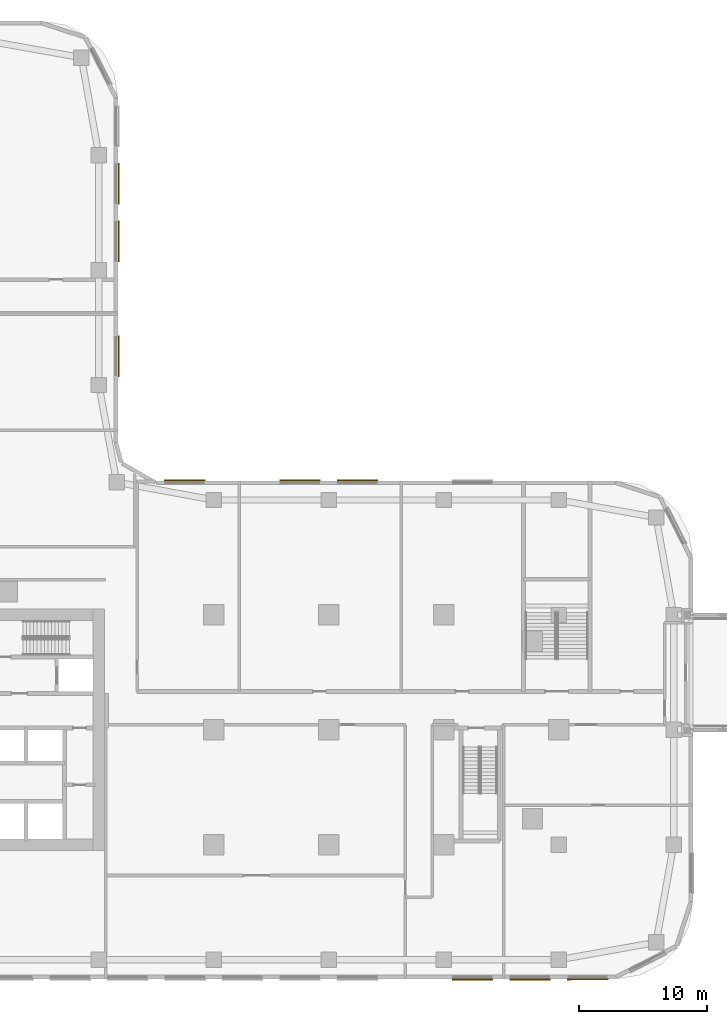
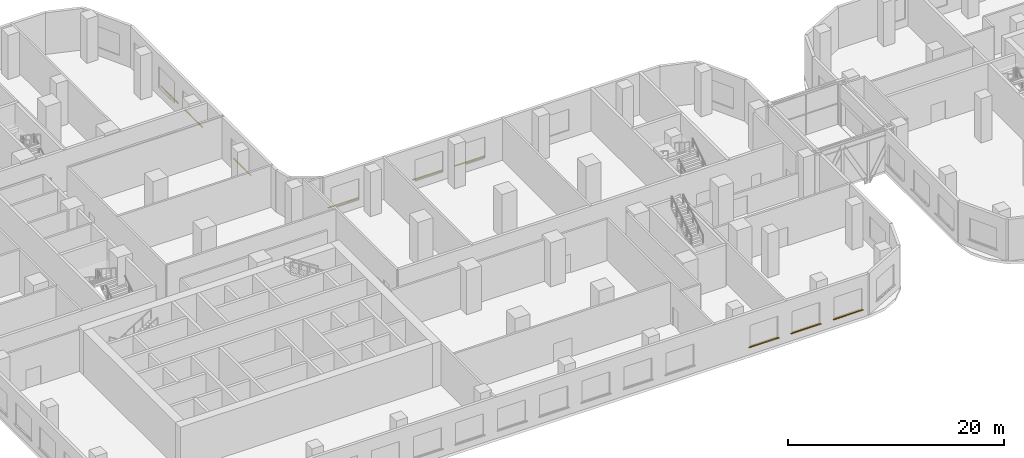
# One storey, part 29 of 35: 9 coverings.
"""IFC4 building model written with IfcOpenShell, lengths in metres."""

from ifc_helpers import new_model, si_unit, direction, frame, origin, origin_2d, place, context, subcontext, project, spatial, rectangle, extrude, material, layer, layer_set, type_object, element, save


model = new_model("IFC4")

# Units and contexts
model_context = context("Model", 3, precision=1e-05, world=origin(), true_north=direction((0.0, 1.0)))
body_context = subcontext(model_context, "Body", "Model", "MODEL_VIEW")
ifc_project = project(units=[si_unit("LENGTHUNIT", "METRE"), si_unit("AREAUNIT", "SQUARE_METRE"), si_unit("VOLUMEUNIT", "CUBIC_METRE"), si_unit("PLANEANGLEUNIT", "RADIAN"), si_unit("MASSUNIT", "GRAM", prefix="KILO")], contexts=[model_context])

# Site, building, storey
site_placement = place(None, origin())
site = spatial("IfcSite", under=ifc_project, at=site_placement, CompositionType="ELEMENT")
building_placement = place(site_placement, origin())
building = spatial("IfcBuilding", under=site, at=building_placement, Name="Ogive Portal Towers", CompositionType="ELEMENT")
storey_placement = place(building_placement, frame((0.0, 0.0, 23.5)))
storey = spatial("IfcBuildingStorey", under=building, at=storey_placement, Name="L04", CompositionType="ELEMENT", Elevation=23.5)

# Coverings
ifc_material = material(Name="Limestone cladding on lightweight block wall", Category="masonry")
ifc_layer = layer(ifc_material, 0.080078125)
ifc_layer_set = layer_set([ifc_layer], Name="STONE SILL 80")
covering_type = type_object("IfcCoveringType", Name="STONE SILL 80", PredefinedType="CLADDING", material=ifc_layer_set)
for number, where, z_axis, x_axis, name in (
    (1, (87.75, 10.9599609375, 0.840087890625), (0.0, 0.0, 1.0), (1.0, 0.0, 0.0), "Stone sill"),
    (2, (92.25, 10.9599609375, 0.840087890625), (0.0, 0.0, 1.0), (1.0, 0.0, 0.0), "Stone sill"),
    (3, (96.773681640625, 10.9599609375, 0.840087890625), (0.0, 0.0, 1.0), (1.0, 0.0, 0.0), "Stone sill"),
    (4, (78.75, 50.0400390625, 0.840087890625), (0.0, 0.0, 1.0), (-1.0, 0.0, 0.0), "Stone sill"),
    (5, (74.25, 50.0400390625, 0.840087890625), (0.0, 0.0, 1.0), (-1.0, 0.0, 0.0), "Stone sill"),
    (6, (65.226318359375, 50.0400390625, 0.840087890625), (0.0, 0.0, 1.0), (-1.0, 0.0, 0.0), "Stone sill"),
    (7, (60.0400390625, 59.75, 0.840087890625), (0.0, 0.0, 1.0), (0.0, 1.0, 0.0), "Stone sill"),
    (8, (60.0400390625, 68.75, 0.840087890625), (0.0, 0.0, 1.0), (0.0, 1.0, 0.0), "Stone sill"),
    (9, (60.0400390625, 73.25, 0.840087890625), (0.0, 0.0, 1.0), (0.0, 1.0, 0.0), "Stone sill"),
):
    element("IfcCovering", number, at=place(storey_placement, frame(where, z_axis=z_axis, x_axis=x_axis)), inside=storey, type_object=covering_type, Name=name, PredefinedType="CLADDING", context=body_context, shape_type="SweptSolid", body=[
        extrude(rectangle(XDim=3.199951171875, YDim=0.080078125, at=origin_2d()), origin(), (0.0, 0.0, 1.0), 0.06005859375),
    ])

save(model, "model.ifc")
